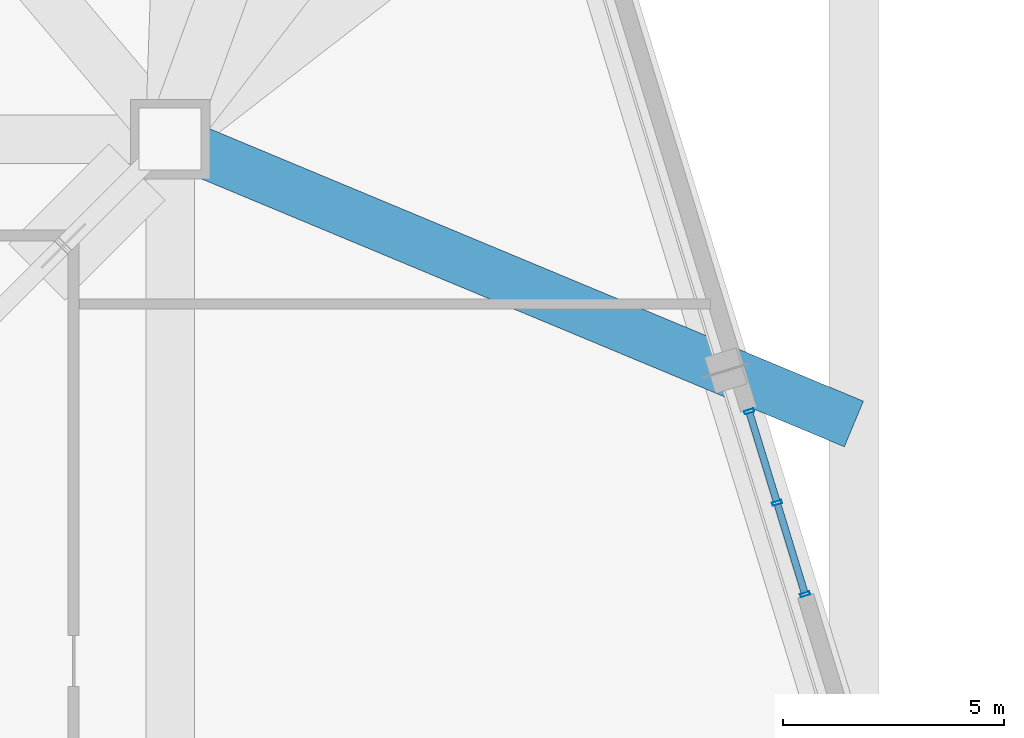
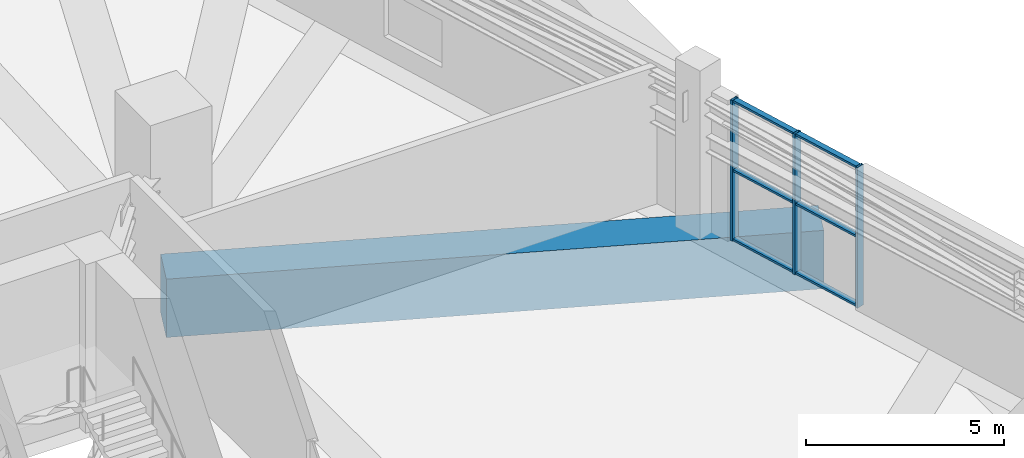
# One storey, part 10 of 22: 9 members, 1 beam, 1 element without a shape of its own.
"""IFC4 building model written with IfcOpenShell, lengths in metres."""

from ifc_helpers import new_model, si_unit, direction, frame, origin, origin_2d, place, context, subcontext, project, spatial, rectangle, hollow_rectangle, extrude, source, transform, mapped, material, layer, layer_set, material_profile, profile_set, type_object, element, aggregate, save


model = new_model("IFC4")

# Units and contexts
model_context = context("Model", 3, precision=1e-05, world=origin(), true_north=direction((0.0, 1.0)))
body_context = subcontext(model_context, "Body", "Model", "MODEL_VIEW")
ifc_project = project(units=[si_unit("LENGTHUNIT", "METRE"), si_unit("AREAUNIT", "SQUARE_METRE"), si_unit("VOLUMEUNIT", "CUBIC_METRE"), si_unit("PLANEANGLEUNIT", "RADIAN"), si_unit("MASSUNIT", "GRAM", prefix="KILO"), si_unit("THERMODYNAMICTEMPERATUREUNIT", "KELVIN")], contexts=[model_context])

# Site, building, storey
site_placement = place(None, origin())
site = spatial("IfcSite", under=ifc_project, at=site_placement, CompositionType="ELEMENT")
building_placement = place(site_placement, origin())
building = spatial("IfcBuilding", under=site, at=building_placement, Name="Kosmvard Interchange Tower", CompositionType="ELEMENT")
storey_placement = place(building_placement, frame((0.0, 0.0, 78.0)))
storey = spatial("IfcBuildingStorey", under=building, at=storey_placement, Name="L18", CompositionType="ELEMENT", Elevation=78.0)

# Beam
ifc_material_1 = material(Name="Concrete C60/75", Category="concrete")
ifc_material_profile_1 = material_profile(ifc_material_1, rectangle(XDim=1.1201171875, YDim=1.800048828125, at=origin_2d()), Name="TG 1120x1800")
ifc_profile_set_1 = profile_set([ifc_material_profile_1], Name="Concrete C60/75")
beam_type = type_object("IfcBeamType", Name="Zone Long-Span Transfer Girder 1120x1800 C60/75", PredefinedType="USERDEFINED", material=ifc_profile_set_1)
shared_shape_1 = source(origin(), body_context, "Body", "SweptSolid", [
    extrude(rectangle(XDim=1.1201171875, YDim=1.800048828125, at=origin_2d()), origin(), (0.0, 0.0, 1.0), 16.758056640625),
])
beam_placement = place(storey_placement, frame((13.0810546875, 13.0810546875, -0.89990234375), z_axis=(0.923079078176, -0.384610212336, 0.0), x_axis=(0.384610212336, 0.923079078176, 0.0)))
element("IfcBeam", 1, at=beam_placement, inside=storey, type_object=beam_type, Name="BM-L18-RD05", ObjectType="TRANSFER_GIRDER", PredefinedType="USERDEFINED", context=body_context, shape_type="MappedRepresentation", body=[
    mapped(shared_shape_1, transform((0.0, 0.0, 0.0), scale=1.0)),
])

# Curtain wall, members
ifc_material_2 = material(Name="Architectural anodised aluminium", Category="aluminium")
ifc_layer = layer(ifc_material_2, 0.2099609375, Name="Architectural anodised aluminium")
ifc_layer_set = layer_set([ifc_layer], Name="Architectural anodised aluminium")
curtain_wall_type = type_object("IfcCurtainWallType", Name="CW-4 Refuge Transfer Glazed Louvre Wall", PredefinedType="NOTDEFINED", material=ifc_layer_set)
curtain_wall_placement = place(storey_placement, origin())
curtain_wall = element("IfcCurtainWall", 2, at=curtain_wall_placement, inside=storey, type_object=curtain_wall_type, Name="L18 Transfer Louvre Curtain Wall E", PredefinedType="NOTDEFINED")
ifc_material_profile_2 = material_profile(ifc_material_2, hollow_rectangle(XDim=0.219970703125, YDim=0.074951171875, WallThickness=0.0048828125, at=origin_2d()), Name="CWM 220x75x5")
ifc_profile_set_2 = profile_set([ifc_material_profile_2], Name="Architectural anodised aluminium")
member_type_1 = type_object("IfcMemberType", Name="Concourse CW Mullion 220x75 Aluminium", PredefinedType="MULLION", material=ifc_profile_set_2)
shared_shape_2 = source(origin(), body_context, "Body", "SweptSolid", [
    extrude(hollow_rectangle(XDim=0.219970703125, YDim=0.074951171875, WallThickness=0.0048828125, at=origin_2d()), origin(), (0.0, 0.0, 1.0), 4.340087890625),
])
member_1_placement = place(storey_placement, frame((27.445556640625, 2.783447265625, 0.0), z_axis=(0.0, 0.0, 1.0), x_axis=(-0.956304725673, -0.292371803799, 0.0)))
member_1 = element("IfcMember", 3, at=member_1_placement, type_object=member_type_1, Name="CW-4 mullion 1", PredefinedType="MULLION", context=body_context, shape_type="MappedRepresentation", body=[
    mapped(shared_shape_2, transform((0.0, 0.0, 0.0), scale=1.0)),
])
member_2_placement = place(storey_placement, frame((26.813232421875, 4.851318359375, 0.0), z_axis=(0.0, 0.0, 1.0), x_axis=(-0.956304725673, -0.292371803799, 0.0)))
member_2 = element("IfcMember", 4, at=member_2_placement, type_object=member_type_1, Name="CW-4 mullion 2", PredefinedType="MULLION", context=body_context, shape_type="MappedRepresentation", body=[
    mapped(shared_shape_2, transform((0.0, 0.0, 0.0), scale=1.0)),
])
member_3_placement = place(storey_placement, frame((26.180908203125, 6.91943359375, 0.0), z_axis=(0.0, 0.0, 1.0), x_axis=(-0.956304725673, -0.292371803799, 0.0)))
member_3 = element("IfcMember", 5, at=member_3_placement, type_object=member_type_1, Name="CW-4 mullion 3", PredefinedType="MULLION", context=body_context, shape_type="MappedRepresentation", body=[
    mapped(shared_shape_2, transform((0.0, 0.0, 0.0), scale=1.0)),
])
ifc_material_profile_3 = material_profile(ifc_material_2, hollow_rectangle(XDim=0.159912109375, YDim=0.06494140625, WallThickness=0.00390625, at=origin_2d()), Name="CWT 160x65x4")
ifc_profile_set_3 = profile_set([ifc_material_profile_3], Name="Architectural anodised aluminium")
member_type_2 = type_object("IfcMemberType", Name="Standard CW Transom 160x65 Aluminium", PredefinedType="USERDEFINED", material=ifc_profile_set_3)
shared_shape_3 = source(origin(), body_context, "Body", "SweptSolid", [
    extrude(hollow_rectangle(XDim=0.159912109375, YDim=0.06494140625, WallThickness=0.00390625, at=origin_2d()), origin(), (0.0, 0.0, 1.0), 2.08740234375),
])
member_4_placement = place(storey_placement, frame((27.4345703125, 2.8193359375, 0.032470703125), z_axis=(-0.292408708979, 0.956293441844, 0.0), x_axis=(-0.956293441844, -0.292408708979, 0.0)))
member_4 = element("IfcMember", 6, at=member_4_placement, type_object=member_type_2, Name="CW-4 transom 1.1", ObjectType="TRANSOM", PredefinedType="USERDEFINED", context=body_context, shape_type="MappedRepresentation", body=[
    mapped(shared_shape_3, transform((0.0, 0.0, 0.0), scale=1.0)),
])
member_5_placement = place(storey_placement, frame((27.4345703125, 2.8193359375, 2.169921875), z_axis=(-0.292408708979, 0.956293441844, 0.0), x_axis=(-0.956293441844, -0.292408708979, 0.0)))
member_5 = element("IfcMember", 7, at=member_5_placement, type_object=member_type_2, Name="CW-4 transom 1.2", ObjectType="TRANSOM", PredefinedType="USERDEFINED", context=body_context, shape_type="MappedRepresentation", body=[
    mapped(shared_shape_3, transform((0.0, 0.0, 0.0), scale=1.0)),
])
member_6_placement = place(storey_placement, frame((27.4345703125, 2.8193359375, 4.3076171875), z_axis=(-0.292408708979, 0.956293441844, 0.0), x_axis=(-0.956293441844, -0.292408708979, 0.0)))
member_6 = element("IfcMember", 8, at=member_6_placement, type_object=member_type_2, Name="CW-4 transom 1.3", ObjectType="TRANSOM", PredefinedType="USERDEFINED", context=body_context, shape_type="MappedRepresentation", body=[
    mapped(shared_shape_3, transform((0.0, 0.0, 0.0), scale=1.0)),
])
shared_shape_4 = source(origin(), body_context, "Body", "SweptSolid", [
    extrude(hollow_rectangle(XDim=0.159912109375, YDim=0.06494140625, WallThickness=0.00390625, at=origin_2d()), origin(), (0.0, 0.0, 1.0), 2.087646484375),
])
member_7_placement = place(storey_placement, frame((26.80224609375, 4.88720703125, 0.032470703125), z_axis=(-0.292376006138, 0.956303440878, 0.0), x_axis=(-0.956303440878, -0.292376006138, 0.0)))
member_7 = element("IfcMember", 9, at=member_7_placement, type_object=member_type_2, Name="CW-4 transom 2.1", ObjectType="TRANSOM", PredefinedType="USERDEFINED", context=body_context, shape_type="MappedRepresentation", body=[
    mapped(shared_shape_4, transform((0.0, 0.0, 0.0), scale=1.0)),
])
member_8_placement = place(storey_placement, frame((26.80224609375, 4.88720703125, 2.169921875), z_axis=(-0.292376006138, 0.956303440878, 0.0), x_axis=(-0.956303440878, -0.292376006138, 0.0)))
member_8 = element("IfcMember", 10, at=member_8_placement, type_object=member_type_2, Name="CW-4 transom 2.2", ObjectType="TRANSOM", PredefinedType="USERDEFINED", context=body_context, shape_type="MappedRepresentation", body=[
    mapped(shared_shape_4, transform((0.0, 0.0, 0.0), scale=1.0)),
])
member_9_placement = place(storey_placement, frame((26.80224609375, 4.88720703125, 4.3076171875), z_axis=(-0.292376006138, 0.956303440878, 0.0), x_axis=(-0.956303440878, -0.292376006138, 0.0)))
member_9 = element("IfcMember", 11, at=member_9_placement, type_object=member_type_2, Name="CW-4 transom 2.3", ObjectType="TRANSOM", PredefinedType="USERDEFINED", context=body_context, shape_type="MappedRepresentation", body=[
    mapped(shared_shape_4, transform((0.0, 0.0, 0.0), scale=1.0)),
])
aggregate(curtain_wall, [member_1, member_2, member_3, member_4, member_5, member_6, member_7, member_8, member_9])

save(model, "model.ifc")
